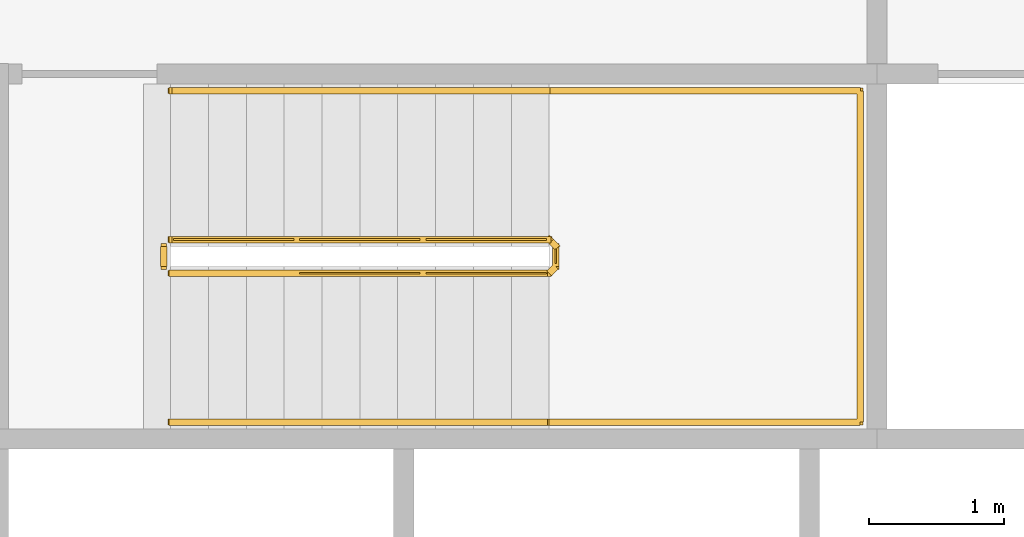
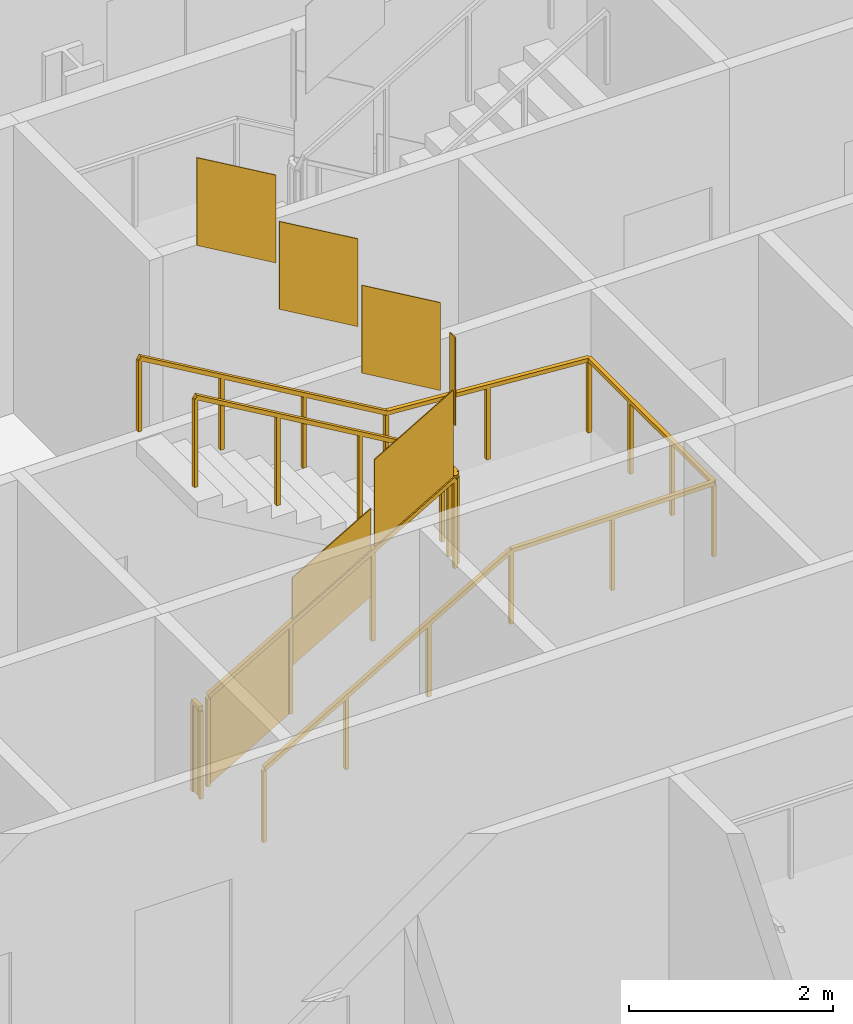
# One storey, part 17 of 22: 3 railings.
"""IFC4 building model written with IfcOpenShell, lengths in metres."""

from ifc_helpers import new_model, si_unit, direction, frame, origin, origin_2d, place, context, subcontext, project, spatial, polyline, rectangle, outline, extrude, material, type_object, element, save


model = new_model("IFC4")

# Units and contexts
model_context = context("Model", 3, precision=1e-05, world=origin(), true_north=direction((0.0, 1.0)))
body_context = subcontext(model_context, "Body", "Model", "MODEL_VIEW")
ifc_project = project(units=[si_unit("LENGTHUNIT", "METRE"), si_unit("AREAUNIT", "SQUARE_METRE"), si_unit("VOLUMEUNIT", "CUBIC_METRE"), si_unit("PLANEANGLEUNIT", "RADIAN"), si_unit("MASSUNIT", "GRAM", prefix="KILO")], contexts=[model_context])

# Site, building, storey
site_placement = place(None, origin())
site = spatial("IfcSite", under=ifc_project, at=site_placement, CompositionType="ELEMENT")
building_placement = place(site_placement, origin())
building = spatial("IfcBuilding", under=site, at=building_placement, Name="Cairn Pilgrim Tower", CompositionType="ELEMENT")
storey_placement = place(building_placement, frame((0.0, 0.0, 112.199951171875)))
storey = spatial("IfcBuildingStorey", under=building, at=storey_placement, Name="L27", CompositionType="ELEMENT", Elevation=112.199951171875)

# Railings
ifc_material = material(Name="Painted steel", Category="steel")
railing_type_1 = type_object("IfcRailingType", Name="STAIR GUARD 1100", PredefinedType="GUARDRAIL", material=ifc_material)
railing_1_placement = place(storey_placement, frame((4.47509765625, 3.425048828125, 0.16357421875)))
element("IfcRailing", 1, at=railing_1_placement, inside=storey, type_object=railing_type_1, Name="L27 ST-B stair guard 1", PredefinedType="GUARDRAIL", context=body_context, shape_type="SweptSolid", body=[
    extrude(rectangle(XDim=0.048095703125, YDim=0.048095703125, at=origin_2d()), frame((0.0, 0.0, 1.076171875), z_axis=(0.863341702679, 0.0, 0.504619762213), x_axis=(0.0, 1.0, 0.0)), (0.0, 0.0, 1.0), 3.242919921875),
    extrude(rectangle(XDim=0.048095703125, YDim=0.048095703125, at=origin_2d()), frame((2.7998046875, 0.0, 2.71240234375), z_axis=(0.707106781187, 0.707106781187, 0.0), x_axis=(-0.707106781187, 0.707106781187, 0.0)), (0.0, 0.0, 1.0), 0.07080078125),
    extrude(rectangle(XDim=0.048095703125, YDim=0.048095703125, at=origin_2d()), frame((2.849853515625, 0.050048828125, 2.71240234375), z_axis=(0.0, 1.0, 0.0), x_axis=(-1.0, 0.0, 0.0)), (0.0, 0.0, 1.0), 0.14990234375),
    extrude(rectangle(XDim=0.048095703125, YDim=0.048095703125, at=origin_2d()), frame((2.849853515625, 0.199951171875, 2.71240234375), z_axis=(-0.280808744504, 0.280808744504, 0.917765164963), x_axis=(-0.707106781187, -0.707106781187, 0.0)), (0.0, 0.0, 1.0), 0.17822265625),
    extrude(rectangle(XDim=0.048095703125, YDim=0.048095703125, at=origin_2d()), frame((2.7998046875, 0.25, 2.8759765625), z_axis=(-0.863341702679, 0.0, 0.504619762213), x_axis=(0.0, -1.0, 0.0)), (0.0, 0.0, 1.0), 3.242919921875),
    extrude(rectangle(XDim=0.0419921875, YDim=0.0419921875, at=origin_2d()), origin(), (0.0, 0.0, 1.0), 1.052001953125),
    extrude(rectangle(XDim=0.0419921875, YDim=0.0419921875, at=origin_2d()), frame((0.933349609375, 0.0, 0.54541015625)), (0.0, 0.0, 1.0), 1.052001953125),
    extrude(rectangle(XDim=0.0419921875, YDim=0.0419921875, at=origin_2d()), frame((1.866455078125, 0.0, 1.091064453125)), (0.0, 0.0, 1.0), 1.052001953125),
    extrude(rectangle(XDim=0.0419921875, YDim=0.0419921875, at=origin_2d()), frame((2.7998046875, 0.0, 1.636474609375)), (0.0, 0.0, 1.0), 1.052001953125),
    extrude(rectangle(XDim=0.0419921875, YDim=0.0419921875, at=origin_2d()), frame((2.849853515625, 0.050048828125, 1.636474609375)), (0.0, 0.0, 1.0), 1.052001953125),
    extrude(rectangle(XDim=0.0419921875, YDim=0.0419921875, at=origin_2d()), frame((2.849853515625, 0.199951171875, 1.636474609375)), (0.0, 0.0, 1.0), 1.052001953125),
    extrude(rectangle(XDim=0.0419921875, YDim=0.0419921875, at=origin_2d()), frame((2.7998046875, 0.25, 1.800048828125)), (0.0, 0.0, 1.0), 1.052001953125),
    extrude(rectangle(XDim=0.0419921875, YDim=0.0419921875, at=origin_2d()), frame((1.866455078125, 0.25, 2.345458984375)), (0.0, 0.0, 1.0), 1.052001953125),
    extrude(rectangle(XDim=0.0419921875, YDim=0.0419921875, at=origin_2d()), frame((0.933349609375, 0.25, 2.89111328125)), (0.0, 0.0, 1.0), 1.052001953125),
    extrude(rectangle(XDim=0.0419921875, YDim=0.0419921875, at=origin_2d()), frame((0.0, 0.25, 3.4365234375)), (0.0, 0.0, 1.0), 1.052001953125),
    extrude(outline(polyline([(0.02099609375, 0.01220703125), (0.912353515625, 0.533203125), (0.912353515625, 1.585205078125), (0.02099609375, 1.064208984375), (0.02099609375, 0.01220703125)])), frame((0.0, 0.005859375, 0.0), z_axis=(0.0, -1.0, 0.0), x_axis=(1.0, 0.0, 0.0)), (0.0, 0.0, 1.0), 0.011962890625),
    extrude(outline(polyline([(0.02099609375, 0.557861328125), (0.912353515625, 1.07861328125), (0.912353515625, 2.130615234375), (0.02099609375, 1.60986328125), (0.02099609375, 0.557861328125)])), frame((0.933349609375, 0.005859375, 0.54541015625), z_axis=(0.0, -1.0, 0.0), x_axis=(1.0, 0.0, 0.0)), (0.0, 0.0, 1.0), 0.011962890625),
    extrude(outline(polyline([(0.02099609375, 1.103271484375), (0.912353515625, 1.624267578125), (0.912353515625, 2.67626953125), (0.02099609375, 2.1552734375), (0.02099609375, 1.103271484375)])), frame((1.866455078125, 0.005859375, 1.091064453125), z_axis=(0.0, -1.0, 0.0), x_axis=(1.0, 0.0, 0.0)), (0.0, 0.0, 1.0), 0.011962890625),
    extrude(outline(polyline([(0.02099609375, 1.636474609375), (0.12890625, 1.636474609375), (0.12890625, 2.6884765625), (0.02099609375, 2.6884765625), (0.02099609375, 1.636474609375)])), frame((2.84375, 0.050048828125, 1.636474609375), z_axis=(1.0, 0.0, 0.0), x_axis=(0.0, 1.0, 0.0)), (0.0, 0.0, 1.0), 0.011962890625),
    extrude(outline(polyline([(0.02099609375, 1.812255859375), (0.912353515625, 2.333251953125), (0.912353515625, 3.38525390625), (0.02099609375, 2.8642578125), (0.02099609375, 1.812255859375)])), frame((2.7998046875, 0.244140625, 1.800048828125), z_axis=(0.0, 1.0, 0.0), x_axis=(-1.0, 0.0, 0.0)), (0.0, 0.0, 1.0), 0.011962890625),
    extrude(outline(polyline([(0.02099609375, 2.35791015625), (0.912353515625, 2.878662109375), (0.912353515625, 3.9306640625), (0.02099609375, 3.409912109375), (0.02099609375, 2.35791015625)])), frame((1.866455078125, 0.244140625, 2.345458984375), z_axis=(0.0, 1.0, 0.0), x_axis=(-1.0, 0.0, 0.0)), (0.0, 0.0, 1.0), 0.011962890625),
    extrude(outline(polyline([(0.02099609375, 2.9033203125), (0.912353515625, 3.42431640625), (0.912353515625, 4.476318359375), (0.02099609375, 3.955322265625), (0.02099609375, 2.9033203125)])), frame((0.933349609375, 0.244140625, 2.89111328125), z_axis=(0.0, 1.0, 0.0), x_axis=(-1.0, 0.0, 0.0)), (0.0, 0.0, 1.0), 0.011962890625),
])
railing_2_placement = place(storey_placement, frame((4.425048828125, 3.47509765625, 0.0)))
element("IfcRailing", 2, at=railing_2_placement, inside=storey, type_object=railing_type_1, Name="L27 ST-B stair guard 2", PredefinedType="GUARDRAIL", context=body_context, shape_type="SweptSolid", body=[
    extrude(rectangle(XDim=0.048095703125, YDim=0.048095703125, at=origin_2d()), frame((0.0, 0.0, 1.076171875), z_axis=(0.0, 1.0, 0.0), x_axis=(-1.0, 0.0, 0.0)), (0.0, 0.0, 1.0), 0.14990234375),
    extrude(rectangle(XDim=0.0419921875, YDim=0.0419921875, at=origin_2d()), origin(), (0.0, 0.0, 1.0), 1.052001953125),
    extrude(rectangle(XDim=0.0419921875, YDim=0.0419921875, at=origin_2d()), frame((0.0, 0.14990234375, 0.0)), (0.0, 0.0, 1.0), 1.052001953125),
    extrude(outline(polyline([(0.02099609375, 0.0), (0.12890625, 0.0), (0.12890625, 1.052001953125), (0.02099609375, 1.052001953125), (0.02099609375, 0.0)])), frame((-0.005859375, 0.0, 0.0), z_axis=(1.0, 0.0, 0.0), x_axis=(0.0, 1.0, 0.0)), (0.0, 0.0, 1.0), 0.011962890625),
])
railing_type_2 = type_object("IfcRailingType", Name="STAIR HANDRAIL 900", PredefinedType="HANDRAIL", material=ifc_material)
railing_3_placement = place(storey_placement, frame((4.47509765625, 2.324951171875, 0.16357421875)))
element("IfcRailing", 3, at=railing_3_placement, inside=storey, type_object=railing_type_2, Name="L27 ST-B stair handrail 1", PredefinedType="HANDRAIL", context=body_context, shape_type="SweptSolid", body=[
    extrude(rectangle(XDim=0.048095703125, YDim=0.048095703125, at=origin_2d()), frame((0.0, 0.0, 0.8759765625), z_axis=(0.863341702679, 0.0, 0.504619762213), x_axis=(0.0, 1.0, 0.0)), (0.0, 0.0, 1.0), 3.242919921875),
    extrude(rectangle(XDim=0.048095703125, YDim=0.048095703125, at=origin_2d()), frame((2.7998046875, 0.0, 2.51220703125), z_axis=(1.0, 0.0, 0.0), x_axis=(0.0, 1.0, 0.0)), (0.0, 0.0, 1.0), 2.300048828125),
    extrude(rectangle(XDim=0.048095703125, YDim=0.048095703125, at=origin_2d()), frame((5.099853515625, 0.0, 2.51220703125), z_axis=(0.0, 1.0, 0.0), x_axis=(-1.0, 0.0, 0.0)), (0.0, 0.0, 1.0), 2.449951171875),
    extrude(rectangle(XDim=0.048095703125, YDim=0.048095703125, at=origin_2d()), frame((5.099853515625, 2.449951171875, 2.51220703125), z_axis=(-0.997480687736, 0.0, 0.070938548008), x_axis=(0.0, -1.0, 0.0)), (0.0, 0.0, 1.0), 2.305908203125),
    extrude(rectangle(XDim=0.048095703125, YDim=0.048095703125, at=origin_2d()), frame((2.7998046875, 2.449951171875, 2.67578125), z_axis=(-0.863341702679, 0.0, 0.504619762213), x_axis=(0.0, -1.0, 0.0)), (0.0, 0.0, 1.0), 3.242919921875),
    extrude(rectangle(XDim=0.0419921875, YDim=0.0419921875, at=origin_2d()), origin(), (0.0, 0.0, 1.0), 0.851806640625),
    extrude(rectangle(XDim=0.0419921875, YDim=0.0419921875, at=origin_2d()), frame((0.933349609375, 0.0, 0.54541015625)), (0.0, 0.0, 1.0), 0.851806640625),
    extrude(rectangle(XDim=0.0419921875, YDim=0.0419921875, at=origin_2d()), frame((1.866455078125, 0.0, 1.091064453125)), (0.0, 0.0, 1.0), 0.851806640625),
    extrude(rectangle(XDim=0.0419921875, YDim=0.0419921875, at=origin_2d()), frame((2.7998046875, 0.0, 1.636474609375)), (0.0, 0.0, 1.0), 0.851806640625),
    extrude(rectangle(XDim=0.0419921875, YDim=0.0419921875, at=origin_2d()), frame((3.94970703125, 0.0, 1.636474609375)), (0.0, 0.0, 1.0), 0.851806640625),
    extrude(rectangle(XDim=0.0419921875, YDim=0.0419921875, at=origin_2d()), frame((5.099853515625, 0.0, 1.636474609375)), (0.0, 0.0, 1.0), 0.851806640625),
    extrude(rectangle(XDim=0.0419921875, YDim=0.0419921875, at=origin_2d()), frame((5.099853515625, 0.816650390625, 1.636474609375)), (0.0, 0.0, 1.0), 0.851806640625),
    extrude(rectangle(XDim=0.0419921875, YDim=0.0419921875, at=origin_2d()), frame((5.099853515625, 1.63330078125, 1.636474609375)), (0.0, 0.0, 1.0), 0.851806640625),
    extrude(rectangle(XDim=0.0419921875, YDim=0.0419921875, at=origin_2d()), frame((5.099853515625, 2.449951171875, 1.636474609375)), (0.0, 0.0, 1.0), 0.851806640625),
    extrude(rectangle(XDim=0.0419921875, YDim=0.0419921875, at=origin_2d()), frame((3.94970703125, 2.449951171875, 1.71826171875)), (0.0, 0.0, 1.0), 0.851806640625),
    extrude(rectangle(XDim=0.0419921875, YDim=0.0419921875, at=origin_2d()), frame((2.7998046875, 2.449951171875, 1.800048828125)), (0.0, 0.0, 1.0), 0.851806640625),
    extrude(rectangle(XDim=0.0419921875, YDim=0.0419921875, at=origin_2d()), frame((1.866455078125, 2.449951171875, 2.345458984375)), (0.0, 0.0, 1.0), 0.851806640625),
    extrude(rectangle(XDim=0.0419921875, YDim=0.0419921875, at=origin_2d()), frame((0.933349609375, 2.449951171875, 2.89111328125)), (0.0, 0.0, 1.0), 0.851806640625),
    extrude(rectangle(XDim=0.0419921875, YDim=0.0419921875, at=origin_2d()), frame((0.0, 2.449951171875, 3.4365234375)), (0.0, 0.0, 1.0), 0.851806640625),
])

save(model, "model.ifc")
